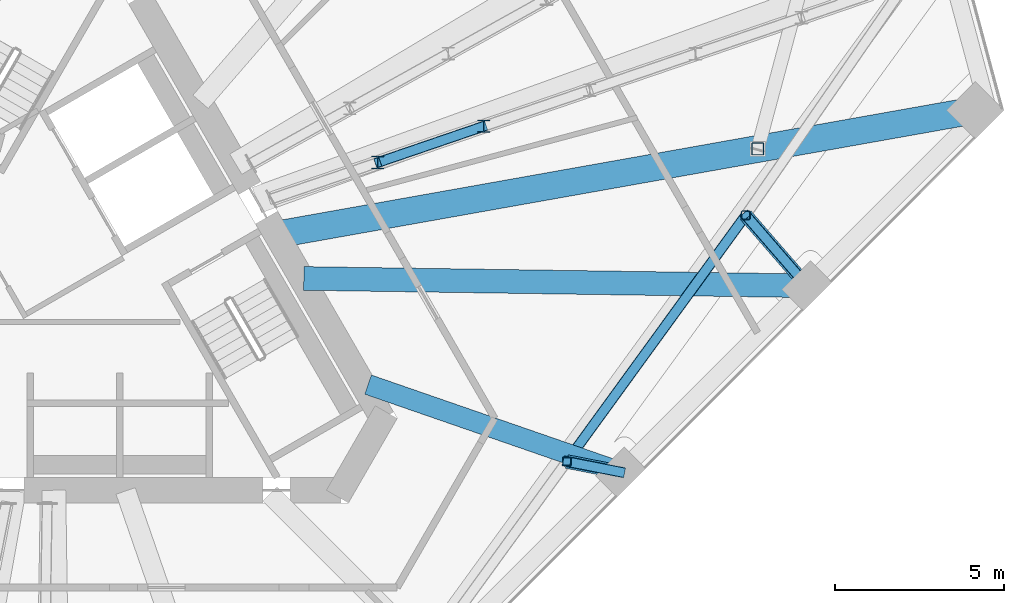
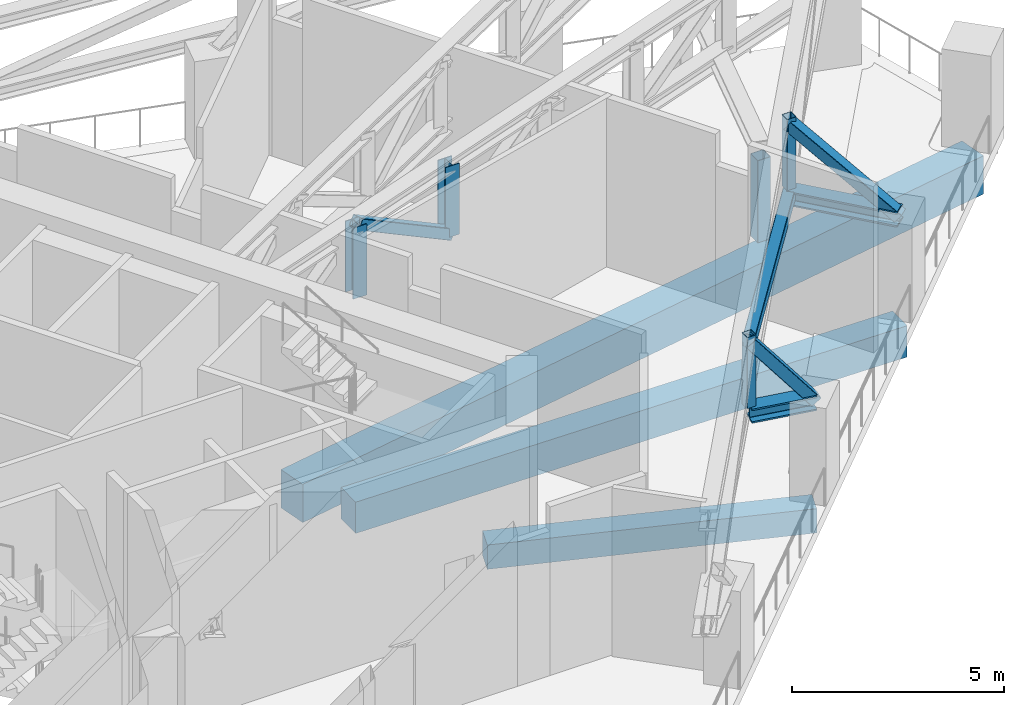
# One storey, part 8 of 22: 11 members, 3 beams.
"""IFC4 building model written with IfcOpenShell, lengths in metres."""

from ifc_helpers import new_model, si_unit, direction, frame, origin, origin_2d, place, context, subcontext, project, spatial, rectangle, hollow_rectangle, i_section, extrude, material, material_profile, profile_set, type_object, element, save


model = new_model("IFC4")

# Units and contexts
model_context = context("Model", 3, precision=1e-05, world=origin(), true_north=direction((0.0, 1.0)))
body_context = subcontext(model_context, "Body", "Model", "MODEL_VIEW")
ifc_project = project(units=[si_unit("LENGTHUNIT", "METRE"), si_unit("AREAUNIT", "SQUARE_METRE"), si_unit("VOLUMEUNIT", "CUBIC_METRE"), si_unit("PLANEANGLEUNIT", "RADIAN"), si_unit("MASSUNIT", "GRAM", prefix="KILO")], contexts=[model_context])

# Site, building, storey
site_placement = place(None, origin())
site = spatial("IfcSite", under=ifc_project, at=site_placement, CompositionType="ELEMENT")
building_placement = place(site_placement, origin())
building = spatial("IfcBuilding", under=site, at=building_placement, Name="Tramontana Tower", CompositionType="ELEMENT")
storey_placement = place(building_placement, frame((0.0, 0.0, 232.0)))
storey = spatial("IfcBuildingStorey", under=building, at=storey_placement, Name="L54", CompositionType="ELEMENT", Elevation=232.0)

# Members
ifc_material_1 = material(Name="Steel ASTM A500 Grade C", Category="steel")
ifc_material_profile_1 = material_profile(ifc_material_1, hollow_rectangle(XDim=0.25390625, YDim=0.25390625, WallThickness=0.01171875, InnerFilletRadius=0.01171875, OuterFilletRadius=0.023681640625, at=origin_2d()), Name="HSS10X10X1/2")
ifc_profile_set_1 = profile_set([ifc_material_profile_1], Name="Steel ASTM A500 Grade C")
member_type_1 = type_object("IfcMemberType", Name="Belt truss HSS10X10X1/2 post", PredefinedType="POST", material=ifc_profile_set_1)
for number, where, z_axis, x_axis, name in (
    (1, (15.267578125, -5.526123046875, 2.806396484375), (0.0, 0.0, 1.0), (1.0, 0.0, 0.0), "Belt truss post C6F07"),
    (2, (20.5615234375, 1.760498046875, 2.806396484375), (0.0, 0.0, 1.0), (1.0, 0.0, 0.0), "Belt truss post C6F08"),
):
    element("IfcMember", number, at=place(storey_placement, frame(where, z_axis=z_axis, x_axis=x_axis)), inside=storey, type_object=member_type_1, Name=name, PredefinedType="POST", context=body_context, shape_type="SweptSolid", body=[
        extrude(hollow_rectangle(XDim=0.25390625, YDim=0.25390625, WallThickness=0.01171875, InnerFilletRadius=0.01171875, OuterFilletRadius=0.023681640625, at=origin_2d()), origin(), (0.0, 0.0, 1.0), 2.043701171875),
    ])
ifc_material_2 = material(Name="Steel ASTM A500 Grade C", Category="steel")
ifc_material_profile_2 = material_profile(ifc_material_2, hollow_rectangle(XDim=0.3046875, YDim=0.3046875, WallThickness=0.01171875, InnerFilletRadius=0.01171875, OuterFilletRadius=0.023681640625, at=origin_2d()), Name="HSS12X12X1/2")
ifc_profile_set_2 = profile_set([ifc_material_profile_2], Name="Steel ASTM A500 Grade C")
member_type_2 = type_object("IfcMemberType", Name="Belt truss HSS12X12X1/2 brace", PredefinedType="BRACE", material=ifc_profile_set_2)
member_1_placement = place(storey_placement, frame((15.267578125, -5.526123046875, 4.646728515625), z_axis=(0.573210381476, 0.788970533368, -0.221258572817), x_axis=(-0.809021999387, 0.587778363423, 0.0)))
element("IfcMember", 3, at=member_1_placement, inside=storey, type_object=member_type_2, Name="Belt truss diagonal S1.4", PredefinedType="BRACE", context=body_context, shape_type="SweptSolid", body=[
    extrude(hollow_rectangle(XDim=0.3046875, YDim=0.3046875, WallThickness=0.01171875, InnerFilletRadius=0.01171875, OuterFilletRadius=0.023681640625, at=origin_2d()), origin(), (0.0, 0.0, 1.0), 9.235595703125),
])
ifc_material_3 = material(Name="Steel ASTM A500 Grade C", Category="steel")
ifc_material_profile_3 = material_profile(ifc_material_3, hollow_rectangle(XDim=0.3046875, YDim=0.3046875, WallThickness=0.01171875, InnerFilletRadius=0.01171875, OuterFilletRadius=0.023681640625, at=origin_2d()), Name="HSS12X12X1/2")
ifc_profile_set_3 = profile_set([ifc_material_profile_3], Name="Steel ASTM A500 Grade C")
member_type_3 = type_object("IfcMemberType", Name="Outrigger truss HSS12X12X1/2 brace", PredefinedType="BRACE", material=ifc_profile_set_3)
member_2_placement = place(storey_placement, frame((9.67529296875, 3.320556640625, 4.646728515625), z_axis=(0.805226412441, 0.275373127957, -0.525147660288), x_axis=(-0.323583464263, 0.946199630974, 0.0)))
element("IfcMember", 4, at=member_2_placement, inside=storey, type_object=member_type_3, Name="Outrigger truss diagonal 3.2", PredefinedType="BRACE", context=body_context, shape_type="SweptSolid", body=[
    extrude(hollow_rectangle(XDim=0.3046875, YDim=0.3046875, WallThickness=0.01171875, InnerFilletRadius=0.01171875, OuterFilletRadius=0.023681640625, at=origin_2d()), origin(), (0.0, 0.0, 1.0), 3.89111328125),
])
ifc_material_4 = material(Name="Steel ASTM A992 Grade 50", Category="steel")
ifc_material_profile_4 = material_profile(ifc_material_4, i_section(OverallWidth=0.374755859375, OverallDepth=0.37158203125, WebThickness=0.015869140625, FlangeThickness=0.025390625, FilletRadius=0.01513671875, at=origin_2d()), Name="W14X132")
ifc_profile_set_4 = profile_set([ifc_material_profile_4], Name="Steel ASTM A992 Grade 50")
member_type_4 = type_object("IfcMemberType", Name="Outrigger truss W14X132 post", PredefinedType="POST", material=ifc_profile_set_4)
for number, where, z_axis, x_axis, name in (
    (5, (9.67529296875, 3.320556640625, 2.603271484375), (0.0, 0.0, 1.0), (1.0, 0.0, 0.0), "Outrigger truss post 3.1"),
    (6, (12.80859375, 4.39208984375, 2.603271484375), (0.0, 0.0, 1.0), (1.0, 0.0, 0.0), "Outrigger truss post 3.2"),
):
    element("IfcMember", number, at=place(storey_placement, frame(where, z_axis=z_axis, x_axis=x_axis)), inside=storey, type_object=member_type_4, Name=name, PredefinedType="POST", context=body_context, shape_type="SweptSolid", body=[
        extrude(i_section(OverallWidth=0.374755859375, OverallDepth=0.37158203125, WebThickness=0.015869140625, FlangeThickness=0.025390625, FilletRadius=0.01513671875, at=origin_2d()), origin(), (0.0, 0.0, 1.0), 2.04345703125),
    ])

# Beams
ifc_material_5 = material(Name="Concrete 40 MPa", Category="concrete")
ifc_material_profile_5 = material_profile(ifc_material_5, rectangle(XDim=0.60009765625, YDim=0.699951171875, at=origin_2d()), Name="RC GIRDER 600X700 40 MPa")
ifc_profile_set_5 = profile_set([ifc_material_profile_5], Name="Concrete 40 MPa")
beam_type_1 = type_object("IfcBeamType", Name="RC GIRDER 600X700 40 MPa", PredefinedType="BEAM", material=ifc_profile_set_5)
beam_1_placement = place(storey_placement, frame((16.8603515625, -5.837646484375, -0.699951171875), z_axis=(-0.944964783829, 0.327172060732, 0.0), x_axis=(-0.327172060732, -0.944964783829, 0.0)))
element("IfcBeam", 7, at=beam_1_placement, inside=storey, type_object=beam_type_1, Name="Radial girder C5F09 L54", PredefinedType="BEAM", context=body_context, shape_type="SweptSolid", body=[
    extrude(rectangle(XDim=0.60009765625, YDim=0.699951171875, at=origin_2d()), origin(), (0.0, 0.0, 1.0), 7.908447265625),
])
ifc_material_6 = material(Name="Concrete 40 MPa", Category="concrete")
ifc_material_profile_6 = material_profile(ifc_material_6, rectangle(XDim=0.699951171875, YDim=0.89990234375, at=origin_2d()), Name="RC GIRDER 700X900 40 MPa")
ifc_profile_set_6 = profile_set([ifc_material_profile_6], Name="Concrete 40 MPa")
beam_type_2 = type_object("IfcBeamType", Name="RC GIRDER 700X900 40 MPa", PredefinedType="BEAM", material=ifc_profile_set_6)
beam_2_placement = place(storey_placement, frame((22.371826171875, -0.326416015625, -0.800048828125), z_axis=(-0.999893489786, 0.01459483068, 0.0), x_axis=(-0.01459483068, -0.999893489786, 0.0)))
element("IfcBeam", 8, at=beam_2_placement, inside=storey, type_object=beam_type_2, Name="Radial girder C5F10 L54", PredefinedType="BEAM", context=body_context, shape_type="SweptSolid", body=[
    extrude(rectangle(XDim=0.699951171875, YDim=0.89990234375, at=origin_2d()), origin(), (0.0, 0.0, 1.0), 14.8876953125),
])
ifc_material_7 = material(Name="Concrete 40 MPa", Category="concrete")
ifc_material_profile_7 = material_profile(ifc_material_7, rectangle(XDim=0.800048828125, YDim=1.10009765625, at=origin_2d()), Name="RC GIRDER 800X1100 40 MPa")
ifc_profile_set_7 = profile_set([ifc_material_profile_7], Name="Concrete 40 MPa")
beam_type_3 = type_object("IfcBeamType", Name="RC GIRDER 800X1100 40 MPa", PredefinedType="BEAM", material=ifc_profile_set_7)
beam_3_placement = place(storey_placement, frame((27.352783203125, 4.86669921875, -0.89990234375), z_axis=(-0.984537718073, -0.175172719597, 0.0), x_axis=(0.175172719597, -0.984537718073, 0.0)))
element("IfcBeam", 9, at=beam_3_placement, inside=storey, type_object=beam_type_3, Name="Radial girder C5K4 L54", PredefinedType="BEAM", context=body_context, shape_type="SweptSolid", body=[
    extrude(rectangle(XDim=0.800048828125, YDim=1.10009765625, at=origin_2d()), origin(), (0.0, 0.0, 1.0), 20.978271484375),
])

# Members
ifc_material_8 = material(Name="Steel ASTM A500 Grade C", Category="steel")
ifc_material_profile_8 = material_profile(ifc_material_8, hollow_rectangle(XDim=0.3046875, YDim=0.3046875, WallThickness=0.01171875, InnerFilletRadius=0.01171875, OuterFilletRadius=0.023681640625, at=origin_2d()), Name="HSS12X12X1/2")
ifc_profile_set_8 = profile_set([ifc_material_profile_8], Name="Steel ASTM A500 Grade C")
member_type_5 = type_object("IfcMemberType", Name="Transfer truss HSS12X12X1/2 brace", PredefinedType="BRACE", material=ifc_profile_set_8)
member_3_placement = place(storey_placement, frame((16.8603515625, -5.837646484375, 2.603271484375), z_axis=(-0.610365967914, 0.119378751542, 0.783072218185), x_axis=(-0.191948613022, -0.98140497755, 0.0)))
element("IfcMember", 10, at=member_3_placement, inside=storey, type_object=member_type_5, Name="Transfer truss strut C6F07 diagonal", PredefinedType="BRACE", context=body_context, shape_type="SweptSolid", body=[
    extrude(hollow_rectangle(XDim=0.3046875, YDim=0.3046875, WallThickness=0.01171875, InnerFilletRadius=0.01171875, OuterFilletRadius=0.023681640625, at=origin_2d()), origin(), (0.0, 0.0, 1.0), 2.609619140625),
])
member_4_placement = place(storey_placement, frame((22.371826171875, -0.326416015625, 2.603271484375), z_axis=(-0.526818205243, 0.607315174433, 0.594668695601), x_axis=(-0.755394511467, -0.655270274044, 0.0)))
element("IfcMember", 11, at=member_4_placement, inside=storey, type_object=member_type_5, Name="Transfer truss strut C6F08 diagonal", PredefinedType="BRACE", context=body_context, shape_type="SweptSolid", body=[
    extrude(hollow_rectangle(XDim=0.3046875, YDim=0.3046875, WallThickness=0.01171875, InnerFilletRadius=0.01171875, OuterFilletRadius=0.023681640625, at=origin_2d()), origin(), (0.0, 0.0, 1.0), 3.436279296875),
])
ifc_material_9 = material(Name="Steel ASTM A500 Grade C", Category="steel")
ifc_material_profile_9 = material_profile(ifc_material_9, hollow_rectangle(XDim=0.355712890625, YDim=0.355712890625, WallThickness=0.01171875, InnerFilletRadius=0.01171875, OuterFilletRadius=0.023681640625, at=origin_2d()), Name="HSS14X14X1/2")
ifc_profile_set_9 = profile_set([ifc_material_profile_9], Name="Steel ASTM A500 Grade C")
member_type_6 = type_object("IfcMemberType", Name="Transfer truss HSS14X14X1/2 post", PredefinedType="POST", material=ifc_profile_set_9)
member_5_placement = place(storey_placement, frame((20.913330078125, 3.72119140625, 0.0400390625), z_axis=(0.0, 0.0, 1.0), x_axis=(1.0, 0.0, 0.0)))
element("IfcMember", 12, at=member_5_placement, inside=storey, type_object=member_type_6, Name="Transfer truss post C6K5.2", PredefinedType="POST", context=body_context, shape_type="SweptSolid", body=[
    extrude(hollow_rectangle(XDim=0.355712890625, YDim=0.355712890625, WallThickness=0.01171875, InnerFilletRadius=0.01171875, OuterFilletRadius=0.023681640625, at=origin_2d()), origin(), (0.0, 0.0, 1.0), 2.35986328125),
])
ifc_material_10 = material(Name="Steel ASTM A992 Grade 50", Category="steel")
ifc_material_profile_10 = material_profile(ifc_material_10, i_section(OverallWidth=0.4033203125, OverallDepth=0.406494140625, WebThickness=0.027099609375, FlangeThickness=0.04443359375, FilletRadius=0.01513671875, at=origin_2d()), Name="W14X233")
ifc_profile_set_10 = profile_set([ifc_material_profile_10], Name="Steel ASTM A992 Grade 50")
member_type_7 = type_object("IfcMemberType", Name="Transfer truss W14X233 strut", PredefinedType="STRUT", material=ifc_profile_set_10)
member_6_placement = place(storey_placement, frame((16.8603515625, -5.837646484375, 2.603271484375), z_axis=(-0.98140497755, 0.191948613022, 0.0), x_axis=(-0.191948613022, -0.98140497755, 0.0)))
element("IfcMember", 13, at=member_6_placement, inside=storey, type_object=member_type_7, Name="Transfer truss strut C6F07 bottom", PredefinedType="STRUT", context=body_context, shape_type="SweptSolid", body=[
    extrude(i_section(OverallWidth=0.4033203125, OverallDepth=0.406494140625, WebThickness=0.027099609375, FlangeThickness=0.04443359375, FilletRadius=0.01513671875, at=origin_2d()), origin(), (0.0, 0.0, 1.0), 1.623046875),
])
member_7_placement = place(storey_placement, frame((22.371826171875, -0.326416015625, 2.603271484375), z_axis=(-0.655270274044, 0.755394511467, 0.0), x_axis=(-0.755394511467, -0.655270274044, 0.0)))
element("IfcMember", 14, at=member_7_placement, inside=storey, type_object=member_type_7, Name="Transfer truss strut C6F08 bottom", PredefinedType="STRUT", context=body_context, shape_type="SweptSolid", body=[
    extrude(i_section(OverallWidth=0.4033203125, OverallDepth=0.406494140625, WebThickness=0.027099609375, FlangeThickness=0.04443359375, FilletRadius=0.01513671875, at=origin_2d()), origin(), (0.0, 0.0, 1.0), 2.7626953125),
])

save(model, "model.ifc")
